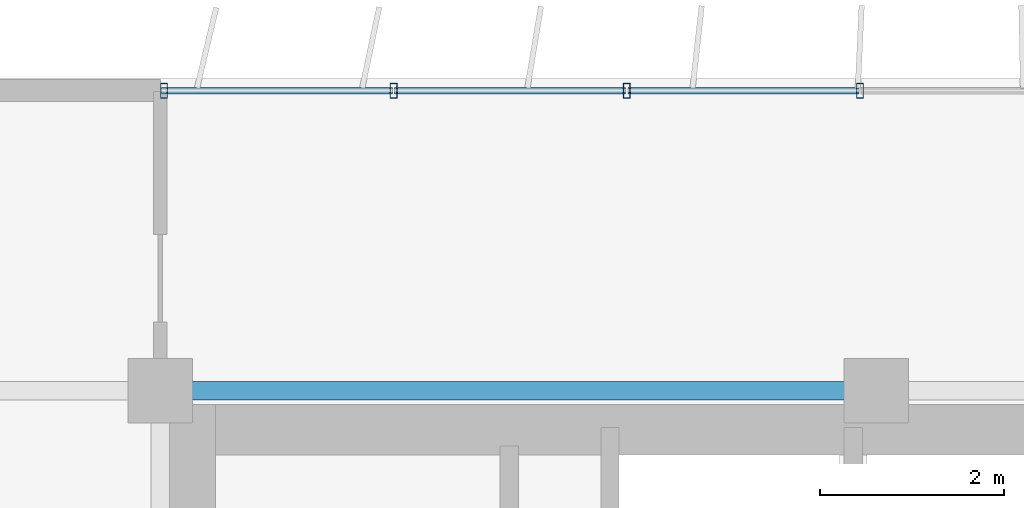
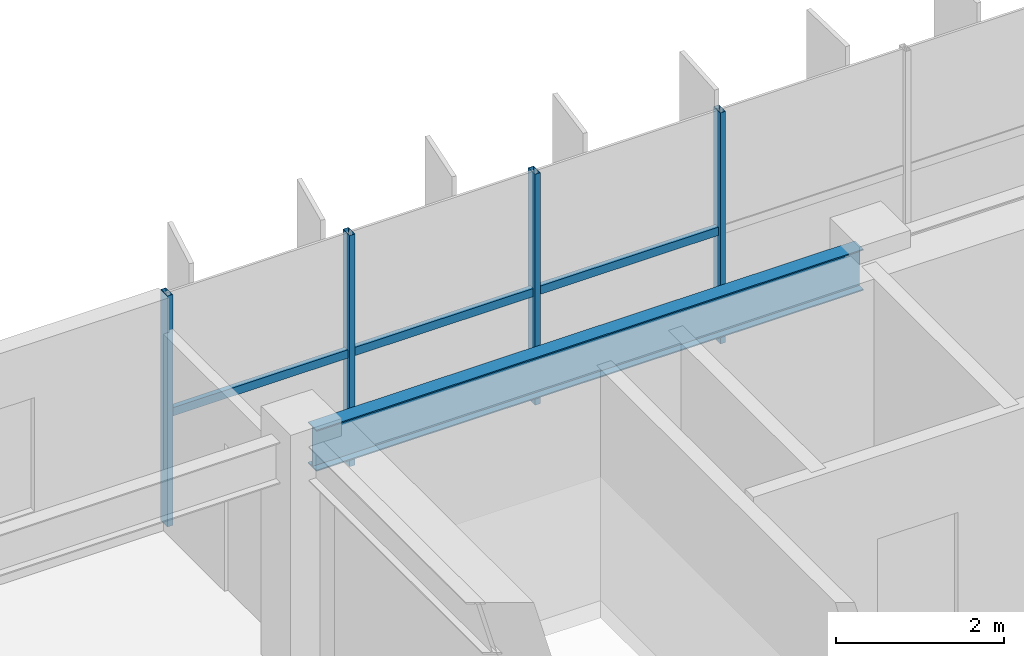
# One storey, part 4 of 21: 7 members, 1 beam, 1 element without a shape of its own.
"""IFC4 building model written with IfcOpenShell, lengths in metres."""

from ifc_helpers import new_model, si_unit, direction, frame, origin, origin_2d, place, context, subcontext, project, spatial, hollow_rectangle, i_section, extrude, source, transform, mapped, material, material_profile, profile_set, type_object, element, aggregate, save


model = new_model("IFC4")

# Units and contexts
model_context = context("Model", 3, precision=1e-05, world=origin(), true_north=direction((0.0, 1.0)))
body_context = subcontext(model_context, "Body", "Model", "MODEL_VIEW")
ifc_project = project(units=[si_unit("LENGTHUNIT", "METRE"), si_unit("AREAUNIT", "SQUARE_METRE"), si_unit("VOLUMEUNIT", "CUBIC_METRE"), si_unit("PLANEANGLEUNIT", "RADIAN"), si_unit("MASSUNIT", "GRAM", prefix="KILO")], contexts=[model_context])

# Site, building, storey
site_placement = place(None, origin())
site = spatial("IfcSite", under=ifc_project, at=site_placement, CompositionType="ELEMENT")
building_placement = place(site_placement, origin())
building = spatial("IfcBuilding", under=site, at=building_placement, Name="Trelvane Seafront Commons", CompositionType="ELEMENT")
storey_placement = place(building_placement, frame((0.0, 0.0, 160.89990234375)))
storey = spatial("IfcBuildingStorey", under=building, at=storey_placement, Name="L42", CompositionType="ELEMENT", Elevation=160.89990234375)

# Beam
ifc_material_1 = material(Name="Steel SM355 (S355)", Category="steel")
ifc_material_profile_1 = material_profile(ifc_material_1, i_section(OverallWidth=0.199951171875, OverallDepth=0.60009765625, WebThickness=0.010986328125, FlangeThickness=0.01708984375, at=origin_2d()), Name="H-600x200x11x17")
ifc_profile_set_1 = profile_set([ifc_material_profile_1], Name="Steel SM355 (S355)")
beam_type = type_object("IfcBeamType", Name="STR-SPD-H600", PredefinedType="SPANDREL", material=ifc_profile_set_1)
shared_shape_1 = source(origin(), body_context, "Body", "SweptSolid", [
    extrude(i_section(OverallWidth=0.199951171875, OverallDepth=0.60009765625, WebThickness=0.010986328125, FlangeThickness=0.01708984375, at=origin_2d()), origin(), (0.0, 0.0, 1.0), 7.5),
])
beam_placement = place(storey_placement, frame((15.75, 45.10009765625, 3.050048828125), z_axis=(1.0, 0.0, 0.0), x_axis=(0.0, 1.0, 0.0)))
element("IfcBeam", 1, at=beam_placement, inside=storey, type_object=beam_type, Name="L42 Primary Girder G-23", PredefinedType="SPANDREL", context=body_context, shape_type="MappedRepresentation", body=[
    mapped(shared_shape_1, transform((0.0, 0.0, 0.0), x_axis=(1.0, 0.0, 0.0), y_axis=(0.0, 1.0, 0.0), z_axis=(0.0, 0.0, 1.0), scale=1.0)),
])

# Curtain wall, members
ifc_material_2 = material(Name="Anodised pale-silver aluminium", Category="aluminium")
curtain_wall_type = type_object("IfcCurtainWallType", Name="ARCH-CW5-UPTOWER", PredefinedType="NOTDEFINED", material=ifc_material_2)
curtain_wall_placement = place(storey_placement, origin())
curtain_wall = element("IfcCurtainWall", 2, at=curtain_wall_placement, inside=storey, type_object=curtain_wall_type, Name="CW-L42-0069", PredefinedType="NOTDEFINED")
ifc_material_profile_2 = material_profile(ifc_material_2, hollow_rectangle(XDim=0.070068359375, YDim=0.1201171875, WallThickness=0.00390625, at=origin_2d()), Name="TRAN-70x120x4")
ifc_profile_set_2 = profile_set([ifc_material_profile_2], Name="Anodised pale-silver aluminium")
member_type_1 = type_object("IfcMemberType", Name="ARCH-CW-TRAN-120", PredefinedType="USERDEFINED", material=ifc_profile_set_2)
shared_shape_2 = source(origin(), body_context, "Body", "SweptSolid", [
    extrude(hollow_rectangle(XDim=0.070068359375, YDim=0.1201171875, WallThickness=0.00390625, at=origin_2d()), origin(), (0.0, 0.0, 1.0), 2.51708984375),
])
member_1_placement = place(storey_placement, frame((15.612060546875, 48.3701171875, 1.608154296875), z_axis=(1.0, 0.0, 0.0), x_axis=(0.0, 1.0, 0.0)))
member_1 = element("IfcMember", 3, at=member_1_placement, type_object=member_type_1, Name="CW-L42-0069-T00", ObjectType="TRANSOM", PredefinedType="USERDEFINED", context=body_context, shape_type="MappedRepresentation", body=[
    mapped(shared_shape_2, transform((0.0, 0.0, 0.0), x_axis=(1.0, 0.0, 0.0), y_axis=(0.0, 1.0, 0.0), z_axis=(0.0, 0.0, 1.0), scale=1.0)),
])
member_2_placement = place(storey_placement, frame((18.1533203125, 48.3701171875, 1.608154296875), z_axis=(1.0, 0.0, 0.0), x_axis=(0.0, 1.0, 0.0)))
member_2 = element("IfcMember", 4, at=member_2_placement, type_object=member_type_1, Name="CW-L42-0069-T01", ObjectType="TRANSOM", PredefinedType="USERDEFINED", context=body_context, shape_type="MappedRepresentation", body=[
    mapped(shared_shape_2, transform((0.0, 0.0, 0.0), x_axis=(1.0, 0.0, 0.0), y_axis=(0.0, 1.0, 0.0), z_axis=(0.0, 0.0, 1.0), scale=1.0)),
])
member_3_placement = place(storey_placement, frame((20.6943359375, 48.3701171875, 1.608154296875), z_axis=(1.0, 0.0, 0.0), x_axis=(0.0, 1.0, 0.0)))
member_3 = element("IfcMember", 5, at=member_3_placement, type_object=member_type_1, Name="CW-L42-0069-T02", ObjectType="TRANSOM", PredefinedType="USERDEFINED", context=body_context, shape_type="MappedRepresentation", body=[
    mapped(shared_shape_2, transform((0.0, 0.0, 0.0), x_axis=(1.0, 0.0, 0.0), y_axis=(0.0, 1.0, 0.0), z_axis=(0.0, 0.0, 1.0), scale=1.0)),
])
ifc_material_profile_3 = material_profile(ifc_material_2, hollow_rectangle(XDim=0.074951171875, YDim=0.159912109375, WallThickness=0.00390625, at=origin_2d()), Name="MULL-75x160x4")
ifc_profile_set_3 = profile_set([ifc_material_profile_3], Name="Anodised pale-silver aluminium")
member_type_2 = type_object("IfcMemberType", Name="ARCH-CW-MULL-160", PredefinedType="MULLION", material=ifc_profile_set_3)
shared_shape_3 = source(origin(), body_context, "Body", "SweptSolid", [
    extrude(hollow_rectangle(XDim=0.074951171875, YDim=0.159912109375, WallThickness=0.00390625, at=origin_2d()), origin(), (0.0, 0.0, 1.0), 3.35009765625),
])
member_4_placement = place(storey_placement, frame((15.639892578125, 48.3701171875, 0.0), z_axis=(0.0, 0.0, 1.0), x_axis=(1.0, 0.0, 0.0)))
member_4 = element("IfcMember", 6, at=member_4_placement, type_object=member_type_2, Name="CW-L42-0069-M00", PredefinedType="MULLION", context=body_context, shape_type="MappedRepresentation", body=[
    mapped(shared_shape_3, transform((0.0, 0.0, 0.0), x_axis=(1.0, 0.0, 0.0), y_axis=(0.0, 1.0, 0.0), z_axis=(0.0, 0.0, 1.0), scale=1.0)),
])
member_5_placement = place(storey_placement, frame((18.14111328125, 48.3701171875, 0.0), z_axis=(0.0, 0.0, 1.0), x_axis=(1.0, 0.0, 0.0)))
member_5 = element("IfcMember", 7, at=member_5_placement, type_object=member_type_2, Name="CW-L42-0069-M01", PredefinedType="MULLION", context=body_context, shape_type="MappedRepresentation", body=[
    mapped(shared_shape_3, transform((0.0, 0.0, 0.0), x_axis=(1.0, 0.0, 0.0), y_axis=(0.0, 1.0, 0.0), z_axis=(0.0, 0.0, 1.0), scale=1.0)),
])
member_6_placement = place(storey_placement, frame((20.682373046875, 48.3701171875, 0.0), z_axis=(0.0, 0.0, 1.0), x_axis=(1.0, 0.0, 0.0)))
member_6 = element("IfcMember", 8, at=member_6_placement, type_object=member_type_2, Name="CW-L42-0069-M02", PredefinedType="MULLION", context=body_context, shape_type="MappedRepresentation", body=[
    mapped(shared_shape_3, transform((0.0, 0.0, 0.0), x_axis=(1.0, 0.0, 0.0), y_axis=(0.0, 1.0, 0.0), z_axis=(0.0, 0.0, 1.0), scale=1.0)),
])
member_7_placement = place(storey_placement, frame((23.223388671875, 48.3701171875, 0.0), z_axis=(0.0, 0.0, 1.0), x_axis=(1.0, 0.0, 0.0)))
member_7 = element("IfcMember", 9, at=member_7_placement, type_object=member_type_2, Name="CW-L42-0069-M03", PredefinedType="MULLION", context=body_context, shape_type="MappedRepresentation", body=[
    mapped(shared_shape_3, transform((0.0, 0.0, 0.0), x_axis=(1.0, 0.0, 0.0), y_axis=(0.0, 1.0, 0.0), z_axis=(0.0, 0.0, 1.0), scale=1.0)),
])
aggregate(curtain_wall, [member_4, member_5, member_6, member_7, member_1, member_2, member_3])

save(model, "model.ifc")
